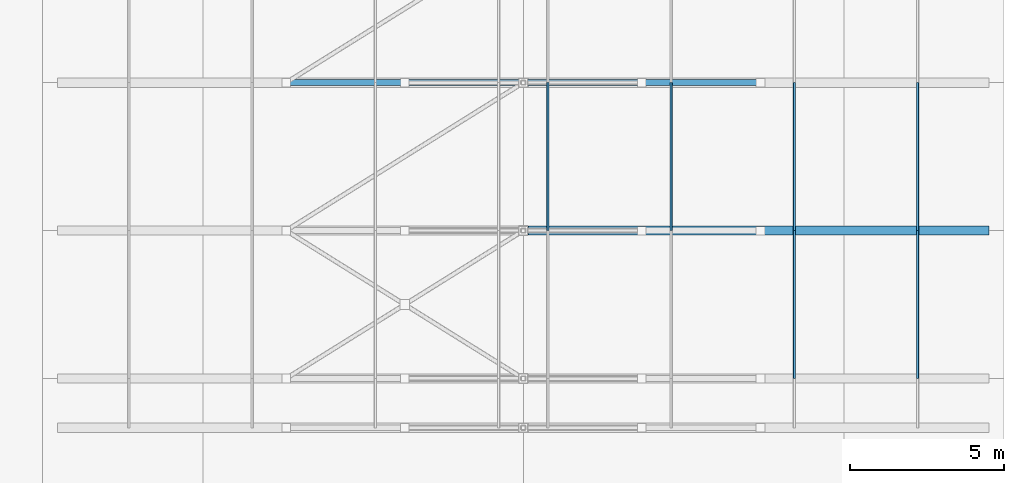
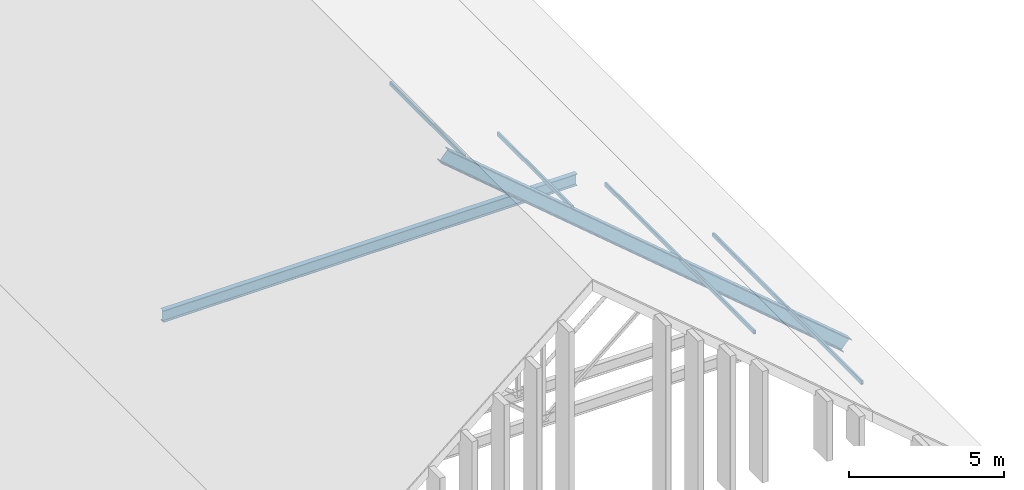
# One storey, part 25 of 60: 6 members, 2 beams.
"""IFC4 building model written with IfcOpenShell, lengths in metres."""

from ifc_helpers import new_model, si_unit, direction, frame, origin, origin_2d, place, context, subcontext, project, spatial, hollow_rectangle, i_section, extrude, material, material_profile, profile_set, type_object, element, save


model = new_model("IFC4")

# Units and contexts
model_context = context("Model", 3, precision=1e-05, world=origin(), true_north=direction((0.0, 1.0)))
body_context = subcontext(model_context, "Body", "Model", "MODEL_VIEW")
ifc_project = project(units=[si_unit("LENGTHUNIT", "METRE"), si_unit("AREAUNIT", "SQUARE_METRE"), si_unit("VOLUMEUNIT", "CUBIC_METRE"), si_unit("PLANEANGLEUNIT", "RADIAN"), si_unit("MASSUNIT", "GRAM", prefix="KILO")], contexts=[model_context])

# Site, building, storey
site_placement = place(None, origin())
site = spatial("IfcSite", under=ifc_project, at=site_placement, CompositionType="ELEMENT")
building_placement = place(site_placement, origin())
building = spatial("IfcBuilding", under=site, at=building_placement, Name="Nakhvara Creek Congress Hotel", CompositionType="ELEMENT")
storey_placement = place(building_placement, frame((0.0, 0.0, 54.60009765625)))
storey = spatial("IfcBuildingStorey", under=building, at=storey_placement, Name="RL1", CompositionType="ELEMENT", Elevation=54.60009765625)

# Beams
ifc_material_1 = material(Name="Steel S355J2", Category="steel")
ifc_material_profile_1 = material_profile(ifc_material_1, i_section(OverallWidth=0.300048828125, OverallDepth=0.5, WebThickness=0.014404296875, FlangeThickness=0.028076171875, FilletRadius=0.027099609375, at=origin_2d()), Name="HEB 500", Category="LoadBearing")
ifc_profile_set_1 = profile_set([ifc_material_profile_1], Name="Steel S355J2")
beam_type_1 = type_object("IfcBeamType", Name="BM-ST-HEB500", PredefinedType="BEAM", material=ifc_profile_set_1)
beam_1_placement = place(storey_placement, frame((164.39990234375, 82.800048828125, 8.11376953125), z_axis=(0.763392905421, 0.0, -0.645934417687), x_axis=(0.0, 1.0, 0.0)))
element("IfcBeam", 1, at=beam_1_placement, inside=storey, type_object=beam_type_1, Name="Hotel Gothic Gable East Rafter 03", PredefinedType="BEAM", context=body_context, shape_type="SweptSolid", body=[
    extrude(i_section(OverallWidth=0.300048828125, OverallDepth=0.5, WebThickness=0.014404296875, FlangeThickness=0.028076171875, FilletRadius=0.027099609375, at=origin_2d()), origin(), (0.0, 0.0, 1.0), 19.583984375),
])
ifc_material_profile_2 = material_profile(ifc_material_1, i_section(OverallWidth=0.1904296875, OverallDepth=0.45703125, WebThickness=0.009033203125, FlangeThickness=0.014404296875, FilletRadius=0.01025390625, at=origin_2d()), Name="UB 457x191x74", Category="LoadBearing")
ifc_profile_set_2 = profile_set([ifc_material_profile_2], Name="Steel S355J2")
beam_type_2 = type_object("IfcBeamType", Name="BM-ST-UB457", PredefinedType="BEAM", material=ifc_profile_set_2)
beam_2_placement = place(storey_placement, frame((156.70166015625, 87.60009765625, 1.599853515625), z_axis=(1.0, 0.0, 0.0), x_axis=(0.0, 1.0, 0.0)))
element("IfcBeam", 2, at=beam_2_placement, inside=storey, type_object=beam_type_2, Name="Hotel Gothic Gable Collar Tie 04", PredefinedType="BEAM", context=body_context, shape_type="SweptSolid", body=[
    extrude(i_section(OverallWidth=0.1904296875, OverallDepth=0.45703125, WebThickness=0.009033203125, FlangeThickness=0.014404296875, FilletRadius=0.01025390625, at=origin_2d()), origin(), (0.0, 0.0, 1.0), 15.396728515625),
])

# Members
ifc_material_2 = material(Name="Steel S355J2H", Category="steel")
ifc_material_profile_3 = material_profile(ifc_material_2, hollow_rectangle(XDim=0.080078125, YDim=0.159912109375, WallThickness=0.00634765625, InnerFilletRadius=0.00634765625, OuterFilletRadius=0.0126953125, at=origin_2d()), Name="RHS 160x80x6.3", Category="LoadBearing")
ifc_profile_set_3 = profile_set([ifc_material_profile_3], Name="Steel S355J2H")
member_type = type_object("IfcMemberType", Name="MEM-PUR-RHS160", PredefinedType="PURLIN", material=ifc_profile_set_3)
for number, where, z_axis, x_axis, name in (
    (3, (165.199951171875, 82.800048828125, 7.7568359375), (0.0, 1.0, 0.0), (-1.0, 0.0, 0.0), "Hotel Gable Purlin PR03-5.03"),
    (4, (169.199951171875, 82.800048828125, 4.372314453125), (0.0, 1.0, 0.0), (-1.0, 0.0, 0.0), "Hotel Gable Purlin PR03-6.03"),
    (5, (173.199951171875, 78.0, 0.98779296875), (0.0, 1.0, 0.0), (-1.0, 0.0, 0.0), "Hotel Gable Purlin PR03-7.02"),
    (6, (173.199951171875, 82.800048828125, 0.98779296875), (0.0, 1.0, 0.0), (-1.0, 0.0, 0.0), "Hotel Gable Purlin PR03-7.03"),
    (7, (177.199951171875, 78.0, -2.39697265625), (0.0, 1.0, 0.0), (-1.0, 0.0, 0.0), "Hotel Gable Purlin PR03-8.02"),
    (8, (177.199951171875, 82.800048828125, -2.39697265625), (0.0, 1.0, 0.0), (-1.0, 0.0, 0.0), "Hotel Gable Purlin PR03-8.03"),
):
    element("IfcMember", number, at=place(storey_placement, frame(where, z_axis=z_axis, x_axis=x_axis)), inside=storey, type_object=member_type, Name=name, PredefinedType="PURLIN", context=body_context, shape_type="SweptSolid", body=[
        extrude(hollow_rectangle(XDim=0.080078125, YDim=0.159912109375, WallThickness=0.00634765625, InnerFilletRadius=0.00634765625, OuterFilletRadius=0.0126953125, at=origin_2d()), origin(), (0.0, 0.0, 1.0), 4.800048828125),
    ])

save(model, "model.ifc")
